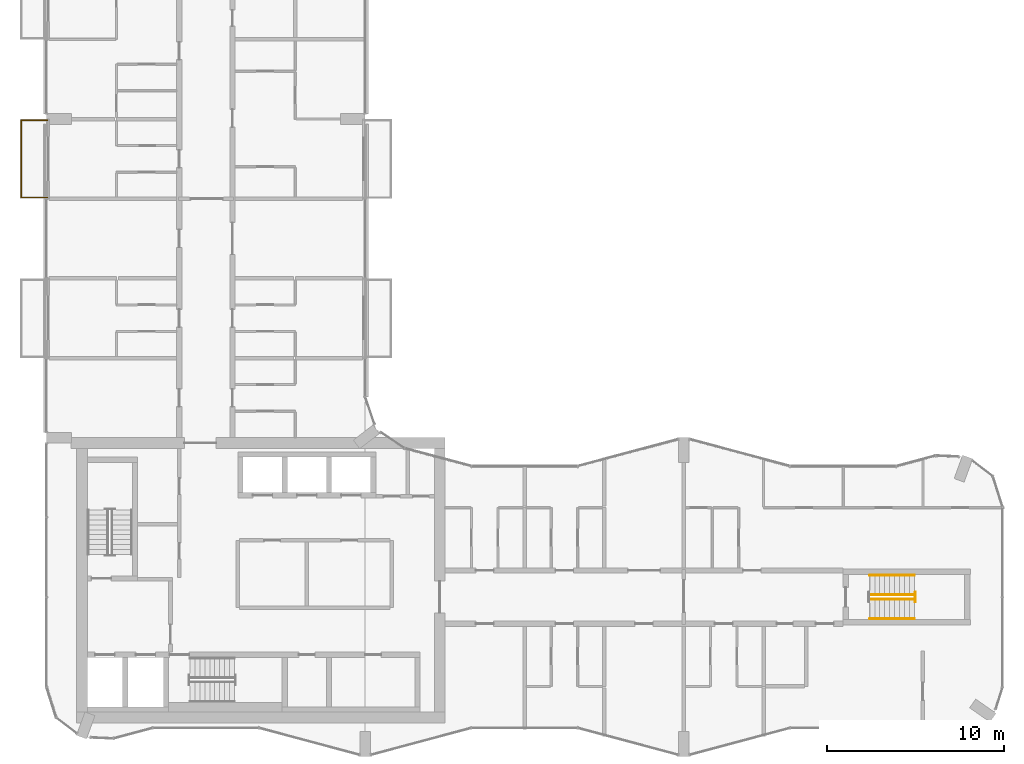
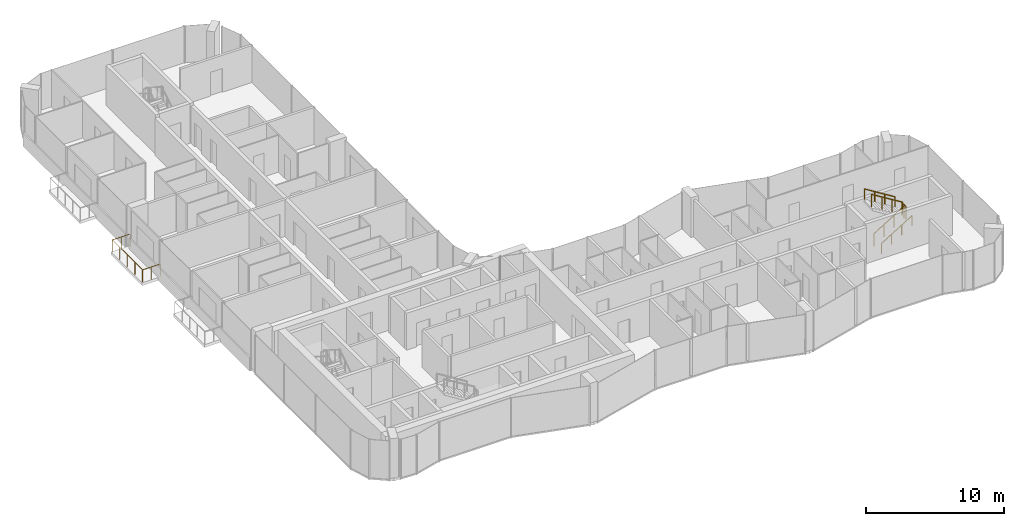
# One storey, part 15 of 16: 6 railings.
"""IFC4 building model written with IfcOpenShell, lengths in metres."""

from ifc_helpers import new_model, si_unit, direction, frame, origin, origin_2d, place, context, subcontext, project, spatial, circle, extrude, material, type_object, element, save


model = new_model("IFC4")

# Units and contexts
model_context = context("Model", 3, precision=1e-05, world=origin(), true_north=direction((0.0, 1.0)))
body_context = subcontext(model_context, "Body", "Model", "MODEL_VIEW")
ifc_project = project(units=[si_unit("LENGTHUNIT", "METRE"), si_unit("AREAUNIT", "SQUARE_METRE"), si_unit("VOLUMEUNIT", "CUBIC_METRE"), si_unit("PLANEANGLEUNIT", "RADIAN"), si_unit("MASSUNIT", "GRAM", prefix="KILO")], contexts=[model_context])

# Site, building, storey
site_placement = place(None, origin())
site = spatial("IfcSite", under=ifc_project, at=site_placement, CompositionType="ELEMENT")
building_placement = place(site_placement, origin())
building = spatial("IfcBuilding", under=site, at=building_placement, Name="Plateau Cross Towers", CompositionType="ELEMENT")
storey_placement = place(building_placement, frame((0.0, 0.0, 160.39990234375)))
storey = spatial("IfcBuildingStorey", under=building, at=storey_placement, Name="L41", CompositionType="ELEMENT", Elevation=160.39990234375)

# Railings
ifc_material_1 = material(Name="Stainless steel and toughened glass", Category="steel")
railing_type_1 = type_object("IfcRailingType", Name="Glass balustrade guard 1100", PredefinedType="GUARDRAIL", material=ifc_material_1)
railing_1_placement = place(storey_placement, frame((0.050048828125, 31.570068359375, 0.0)))
element("IfcRailing", 1, at=railing_1_placement, inside=storey, type_object=railing_type_1, Name="Guard guard1", PredefinedType="GUARDRAIL", context=body_context, shape_type="SweptSolid", body=[
    extrude(circle(Radius=0.02392578125, at=origin_2d()), frame((0.0, 0.0, 1.076171875), z_axis=(-1.0, 0.0, 0.0), x_axis=(0.0, -1.0, 0.0)), (0.0, 0.0, 1.0), 1.47998046875),
    extrude(circle(Radius=0.02392578125, at=origin_2d()), frame((-1.47998046875, 0.0, 1.076171875), z_axis=(0.0, 1.0, 0.0), x_axis=(-1.0, 0.0, 0.0)), (0.0, 0.0, 1.0), 4.35986328125),
    extrude(circle(Radius=0.02392578125, at=origin_2d()), frame((-1.47998046875, 4.35986328125, 1.076171875), z_axis=(1.0, 0.0, 0.0), x_axis=(0.0, 1.0, 0.0)), (0.0, 0.0, 1.0), 1.47998046875),
    extrude(circle(Radius=0.02099609375, at=origin_2d()), origin(), (0.0, 0.0, 1.0), 1.052001953125),
    extrude(circle(Radius=0.02099609375, at=origin_2d()), frame((-0.739990234375, 0.0, 0.0)), (0.0, 0.0, 1.0), 1.052001953125),
    extrude(circle(Radius=0.02099609375, at=origin_2d()), frame((-1.47998046875, 0.0, 0.0)), (0.0, 0.0, 1.0), 1.052001953125),
    extrude(circle(Radius=0.02099609375, at=origin_2d()), frame((-1.47998046875, 1.08984375, 0.0)), (0.0, 0.0, 1.0), 1.052001953125),
    extrude(circle(Radius=0.02099609375, at=origin_2d()), frame((-1.47998046875, 2.179931640625, 0.0)), (0.0, 0.0, 1.0), 1.052001953125),
    extrude(circle(Radius=0.02099609375, at=origin_2d()), frame((-1.47998046875, 3.27001953125, 0.0)), (0.0, 0.0, 1.0), 1.052001953125),
    extrude(circle(Radius=0.02099609375, at=origin_2d()), frame((-1.47998046875, 4.35986328125, 0.0)), (0.0, 0.0, 1.0), 1.052001953125),
    extrude(circle(Radius=0.02099609375, at=origin_2d()), frame((-0.739990234375, 4.35986328125, 0.0)), (0.0, 0.0, 1.0), 1.052001953125),
    extrude(circle(Radius=0.02099609375, at=origin_2d()), frame((0.0, 4.35986328125, 0.0)), (0.0, 0.0, 1.0), 1.052001953125),
])
railing_type_2 = type_object("IfcRailingType", Name="RL-GUARD-1100", PredefinedType="GUARDRAIL", material=ifc_material_1)
railing_2_placement = place(storey_placement, frame((46.5, 8.875, 0.175048828125)))
element("IfcRailing", 2, at=railing_2_placement, inside=storey, type_object=railing_type_2, Name="L41 ES-E stair guard 1", PredefinedType="GUARDRAIL", context=body_context, shape_type="SweptSolid", body=[
    extrude(circle(Radius=0.02392578125, at=origin_2d()), frame((0.0, 0.0, 1.076171875), z_axis=(0.848007534815, 0.0, 0.529984170421), x_axis=(0.0, 1.0, 0.0)), (0.0, 0.0, 1.0), 2.9716796875),
    extrude(circle(Radius=0.02099609375, at=origin_2d()), origin(), (0.0, 0.0, 1.0), 1.052001953125),
    extrude(circle(Radius=0.02099609375, at=origin_2d()), frame((0.840087890625, 0.0, 0.52490234375)), (0.0, 0.0, 1.0), 1.052001953125),
    extrude(circle(Radius=0.02099609375, at=origin_2d()), frame((1.679931640625, 0.0, 1.050048828125)), (0.0, 0.0, 1.0), 1.052001953125),
    extrude(circle(Radius=0.02099609375, at=origin_2d()), frame((2.52001953125, 0.0, 1.574951171875)), (0.0, 0.0, 1.0), 1.052001953125),
])
railing_3_placement = place(storey_placement, frame((49.070068359375, 8.72509765625, 1.75)))
element("IfcRailing", 3, at=railing_3_placement, inside=storey, type_object=railing_type_2, Name="L41 ES-E stair guard 2", PredefinedType="GUARDRAIL", context=body_context, shape_type="SweptSolid", body=[
    extrude(circle(Radius=0.02392578125, at=origin_2d()), frame((0.0, 0.0, 1.076171875), z_axis=(0.0, 1.0, 0.0), x_axis=(-1.0, 0.0, 0.0)), (0.0, 0.0, 1.0), 0.5498046875),
    extrude(circle(Radius=0.02099609375, at=origin_2d()), origin(), (0.0, 0.0, 1.0), 1.052001953125),
    extrude(circle(Radius=0.02099609375, at=origin_2d()), frame((0.0, 0.5498046875, 0.0)), (0.0, 0.0, 1.0), 1.052001953125),
])
railing_4_placement = place(storey_placement, frame((49.02001953125, 9.125, 1.925048828125)))
element("IfcRailing", 4, at=railing_4_placement, inside=storey, type_object=railing_type_2, Name="L41 ES-E stair guard 3", PredefinedType="GUARDRAIL", context=body_context, shape_type="SweptSolid", body=[
    extrude(circle(Radius=0.02392578125, at=origin_2d()), frame((0.0, 0.0, 1.076171875), z_axis=(-0.852638500773, 0.0, 0.522501279423), x_axis=(0.0, -1.0, 0.0)), (0.0, 0.0, 1.0), 3.01416015625),
    extrude(circle(Radius=0.02099609375, at=origin_2d()), origin(), (0.0, 0.0, 1.0), 1.052001953125),
    extrude(circle(Radius=0.02099609375, at=origin_2d()), frame((-0.856689453125, 0.0, 0.52490234375)), (0.0, 0.0, 1.0), 1.052001953125),
    extrude(circle(Radius=0.02099609375, at=origin_2d()), frame((-1.71337890625, 0.0, 1.050048828125)), (0.0, 0.0, 1.0), 1.052001953125),
    extrude(circle(Radius=0.02099609375, at=origin_2d()), frame((-2.570068359375, 0.0, 1.574951171875)), (0.0, 0.0, 1.0), 1.052001953125),
])
ifc_material_2 = material(Name="Black anodised aluminium", Category="aluminium")
railing_type_3 = type_object("IfcRailingType", Name="RL-HANDRAIL-900", PredefinedType="HANDRAIL", material=ifc_material_2)
railing_5_placement = place(storey_placement, frame((46.5, 7.77490234375, 0.175048828125)))
element("IfcRailing", 5, at=railing_5_placement, inside=storey, type_object=railing_type_3, Name="L41 ES-E stair handrail 1", PredefinedType="HANDRAIL", context=body_context, shape_type="SweptSolid", body=[
    extrude(circle(Radius=0.02392578125, at=origin_2d()), frame((0.0, 0.0, 0.8759765625), z_axis=(0.848007534815, 0.0, 0.529984170421), x_axis=(0.0, 1.0, 0.0)), (0.0, 0.0, 1.0), 2.9716796875),
    extrude(circle(Radius=0.02099609375, at=origin_2d()), origin(), (0.0, 0.0, 1.0), 0.851806640625),
    extrude(circle(Radius=0.02099609375, at=origin_2d()), frame((0.840087890625, 0.0, 0.52490234375)), (0.0, 0.0, 1.0), 0.851806640625),
    extrude(circle(Radius=0.02099609375, at=origin_2d()), frame((1.679931640625, 0.0, 1.050048828125)), (0.0, 0.0, 1.0), 0.851806640625),
    extrude(circle(Radius=0.02099609375, at=origin_2d()), frame((2.52001953125, 0.0, 1.574951171875)), (0.0, 0.0, 1.0), 0.851806640625),
])
railing_6_placement = place(storey_placement, frame((49.02001953125, 10.22509765625, 1.925048828125)))
element("IfcRailing", 6, at=railing_6_placement, inside=storey, type_object=railing_type_3, Name="L41 ES-E stair handrail 2", PredefinedType="HANDRAIL", context=body_context, shape_type="SweptSolid", body=[
    extrude(circle(Radius=0.02392578125, at=origin_2d()), frame((0.0, 0.0, 0.8759765625), z_axis=(-0.848007534815, 0.0, 0.529984170421), x_axis=(0.0, -1.0, 0.0)), (0.0, 0.0, 1.0), 2.9716796875),
    extrude(circle(Radius=0.02099609375, at=origin_2d()), origin(), (0.0, 0.0, 1.0), 0.851806640625),
    extrude(circle(Radius=0.02099609375, at=origin_2d()), frame((-0.840087890625, 0.0, 0.52490234375)), (0.0, 0.0, 1.0), 0.851806640625),
    extrude(circle(Radius=0.02099609375, at=origin_2d()), frame((-1.679931640625, 0.0, 1.050048828125)), (0.0, 0.0, 1.0), 0.851806640625),
    extrude(circle(Radius=0.02099609375, at=origin_2d()), frame((-2.52001953125, 0.0, 1.574951171875)), (0.0, 0.0, 1.0), 0.851806640625),
])

save(model, "model.ifc")
